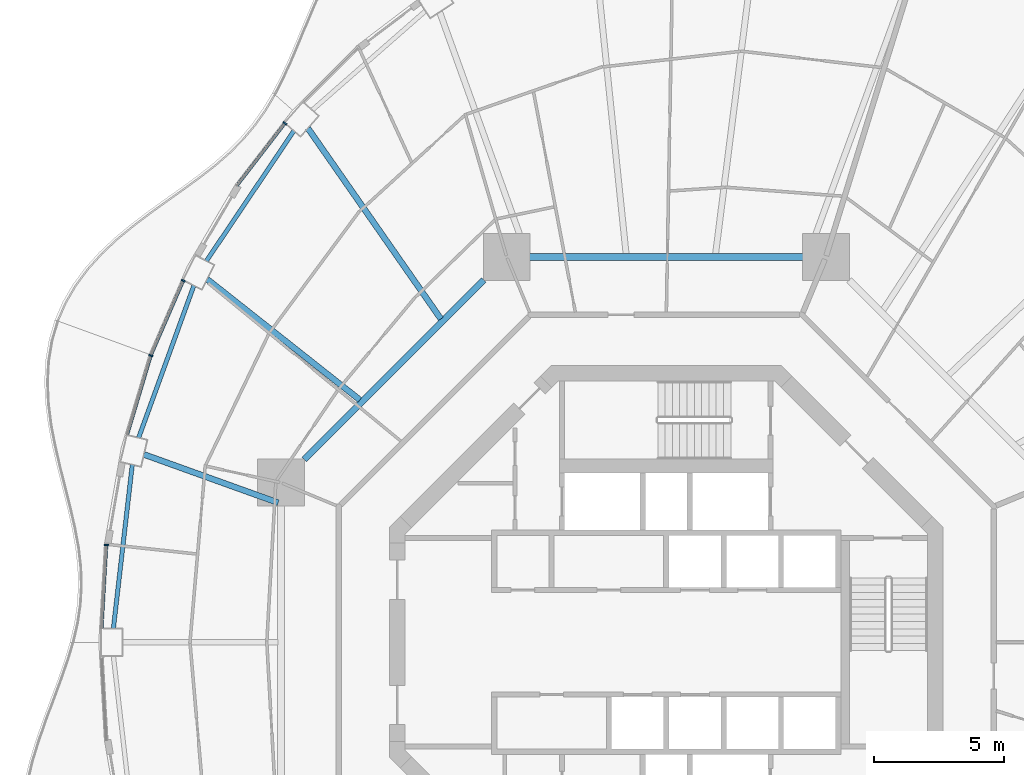
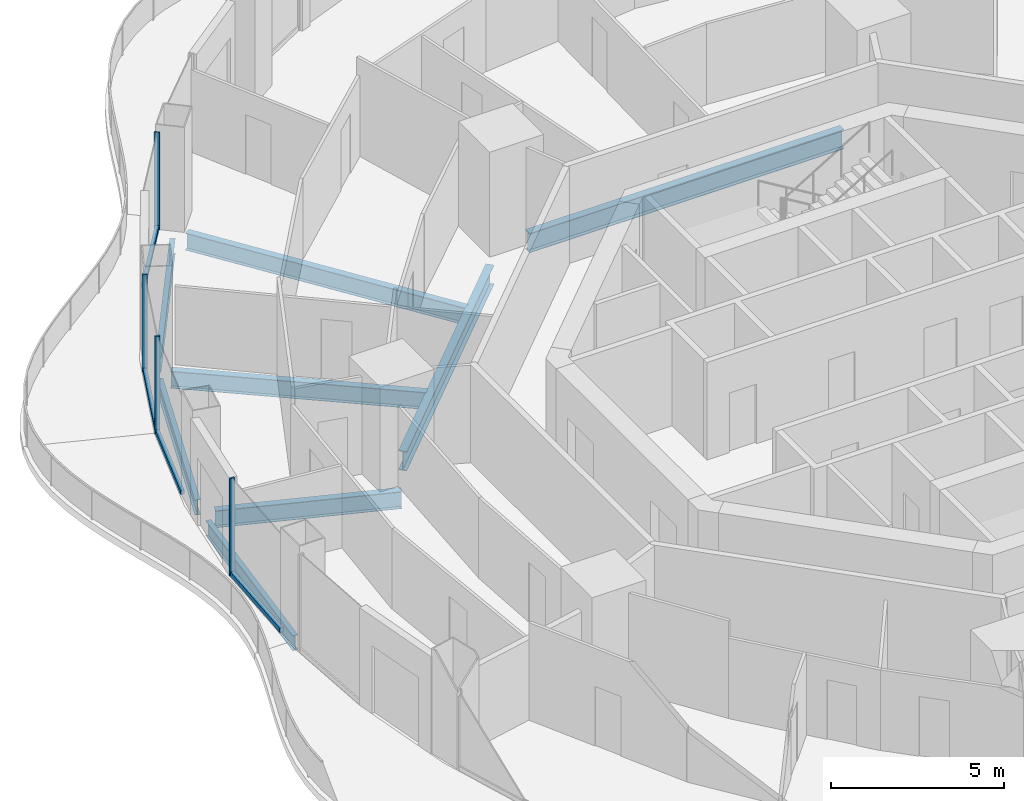
# One storey, part 6 of 19: 8 beams, 8 members, 4 elements without a shape of their own.
"""IFC4 building model written with IfcOpenShell, lengths in metres."""

from ifc_helpers import new_model, si_unit, direction, frame, origin, origin_2d, place, context, subcontext, project, spatial, rectangle, i_section, extrude, material, layer, layer_set, material_profile, profile_set, type_object, element, aggregate, save


model = new_model("IFC4")

# Units and contexts
model_context = context("Model", 3, precision=1e-05, world=origin(), true_north=direction((0.0, 1.0)))
body_context = subcontext(model_context, "Body", "Model", "MODEL_VIEW")
ifc_project = project(units=[si_unit("LENGTHUNIT", "METRE"), si_unit("AREAUNIT", "SQUARE_METRE"), si_unit("VOLUMEUNIT", "CUBIC_METRE"), si_unit("PLANEANGLEUNIT", "RADIAN"), si_unit("MASSUNIT", "GRAM", prefix="KILO")], contexts=[model_context])

# Site, building, storey
site_placement = place(None, origin())
site = spatial("IfcSite", under=ifc_project, at=site_placement, CompositionType="ELEMENT")
building_placement = place(site_placement, origin())
building = spatial("IfcBuilding", under=site, at=building_placement, Name="Nagisa Residences", CompositionType="ELEMENT")
storey_placement = place(building_placement, frame((0.0, 0.0, 180.699951171875)))
storey = spatial("IfcBuildingStorey", under=building, at=storey_placement, Name="L45", CompositionType="ELEMENT", Elevation=180.699951171875)

# Curtain wall, member
ifc_material_1 = material(Name="Concrete-coloured aluminium curtain wall system", Category="concrete")
ifc_layer = layer(ifc_material_1, 0.159912109375)
ifc_layer_set = layer_set([ifc_layer], Name="CW1 CURTAIN WALL")
curtain_wall_type = type_object("IfcCurtainWallType", Name="CW1 CURTAIN WALL", PredefinedType="NOTDEFINED", material=ifc_layer_set)
curtain_wall_1_placement = place(storey_placement, origin())
curtain_wall_1 = element("IfcCurtainWall", 1, at=curtain_wall_1_placement, inside=storey, type_object=curtain_wall_type, Name="cw:CW1:L45:18", PredefinedType="NOTDEFINED")
ifc_material_2 = material(Name="Concrete-coloured aluminium", Category="concrete")
ifc_material_profile_1 = material_profile(ifc_material_2, rectangle(XDim=0.159912109375, YDim=0.06005859375, at=origin_2d()), Name="CW1 MULLION 160x60")
ifc_profile_set_1 = profile_set([ifc_material_profile_1], Name="Concrete-coloured aluminium")
member_type_1 = type_object("IfcMemberType", Name="CW1 MULLION 160x60", PredefinedType="MULLION", material=ifc_profile_set_1)
member_1_placement = place(storey_placement, frame((-14.633544921875, 19.909423828125, 0.0), z_axis=(0.0, 0.0, 1.0), x_axis=(0.792070340816, -0.610429828235, 0.0)))
member_1 = element("IfcMember", 2, at=member_1_placement, type_object=member_type_1, Name="CW1 mullion", PredefinedType="MULLION", context=body_context, shape_type="SweptSolid", body=[
    extrude(rectangle(XDim=0.159912109375, YDim=0.06005859375, at=origin_2d()), origin(), (0.0, 0.0, 1.0), 3.43994140625),
])

curtain_wall_2_placement = place(storey_placement, origin())
curtain_wall_2 = element("IfcCurtainWall", 3, at=curtain_wall_2_placement, inside=storey, type_object=curtain_wall_type, Name="cw:CW1:L45:20", PredefinedType="NOTDEFINED")
member_2_placement = place(storey_placement, frame((-18.53271484375, 13.87353515625, 0.0), z_axis=(0.0, 0.0, 1.0), x_axis=(0.917543276295, -0.397635934147, 0.0)))
member_2 = element("IfcMember", 4, at=member_2_placement, type_object=member_type_1, Name="CW1 mullion", PredefinedType="MULLION", context=body_context, shape_type="SweptSolid", body=[
    extrude(rectangle(XDim=0.159912109375, YDim=0.06005859375, at=origin_2d()), origin(), (0.0, 0.0, 1.0), 3.43994140625),
])

curtain_wall_3_placement = place(storey_placement, origin())
curtain_wall_3 = element("IfcCurtainWall", 5, at=curtain_wall_3_placement, inside=storey, type_object=curtain_wall_type, Name="cw:CW1:L45:21", PredefinedType="NOTDEFINED")
member_3_placement = place(storey_placement, frame((-19.775390625, 10.998291015625, 0.0), z_axis=(0.0, 0.0, 1.0), x_axis=(0.958271310082, -0.285860274038, 0.0)))
member_3 = element("IfcMember", 6, at=member_3_placement, type_object=member_type_1, Name="CW1 mullion", PredefinedType="MULLION", context=body_context, shape_type="SweptSolid", body=[
    extrude(rectangle(XDim=0.159912109375, YDim=0.06005859375, at=origin_2d()), origin(), (0.0, 0.0, 1.0), 3.43994140625),
])

curtain_wall_4_placement = place(storey_placement, origin())
curtain_wall_4 = element("IfcCurtainWall", 7, at=curtain_wall_4_placement, inside=storey, type_object=curtain_wall_type, Name="cw:CW1:L45:23", PredefinedType="NOTDEFINED")
member_4_placement = place(storey_placement, frame((-21.479736328125, 3.734375, 0.0), z_axis=(0.0, 0.0, 1.0), x_axis=(0.998345305184, -0.057503492216, 0.0)))
member_4 = element("IfcMember", 8, at=member_4_placement, type_object=member_type_1, Name="CW1 mullion", PredefinedType="MULLION", context=body_context, shape_type="SweptSolid", body=[
    extrude(rectangle(XDim=0.159912109375, YDim=0.06005859375, at=origin_2d()), origin(), (0.0, 0.0, 1.0), 3.43994140625),
])

# Member
ifc_material_3 = material(Name="Concrete-coloured aluminium", Category="concrete")
ifc_material_profile_2 = material_profile(ifc_material_3, rectangle(XDim=0.1201171875, YDim=0.14990234375, at=origin_2d()), Name="CW1 TRANSOM 120x150")
ifc_profile_set_2 = profile_set([ifc_material_profile_2], Name="Concrete-coloured aluminium")
member_type_2 = type_object("IfcMemberType", Name="CW1 TRANSOM 120x150", PredefinedType="USERDEFINED", material=ifc_profile_set_2)
member_5_placement = place(storey_placement, frame((-14.615234375, 19.933349609375, 0.074951171875), z_axis=(-0.610398538814, -0.792094453846, 0.0), x_axis=(0.792094453846, -0.610398538814, 0.0)))
member_5 = element("IfcMember", 9, at=member_5_placement, type_object=member_type_2, Name="CW1 transom", ObjectType="TRANSOM", PredefinedType="USERDEFINED", context=body_context, shape_type="SweptSolid", body=[
    extrude(rectangle(XDim=0.1201171875, YDim=0.14990234375, at=origin_2d()), origin(), (0.0, 0.0, 1.0), 3.035400390625),
])

aggregate(curtain_wall_1, [member_1, member_5])

member_6_placement = place(storey_placement, frame((-18.520751953125, 13.901123046875, 0.074951171875), z_axis=(-0.397592173732, -0.917562239517, 0.0), x_axis=(0.917562239517, -0.397592173732, 0.0)))
member_6 = element("IfcMember", 10, at=member_6_placement, type_object=member_type_2, Name="CW1 transom", ObjectType="TRANSOM", PredefinedType="USERDEFINED", context=body_context, shape_type="SweptSolid", body=[
    extrude(rectangle(XDim=0.1201171875, YDim=0.14990234375, at=origin_2d()), origin(), (0.0, 0.0, 1.0), 3.14208984375),
])

aggregate(curtain_wall_2, [member_2, member_6])

member_7_placement = place(storey_placement, frame((-19.766845703125, 11.027099609375, 0.074951171875), z_axis=(-0.28584838049, -0.958274857946, 0.0), x_axis=(0.958274857946, -0.28584838049, 0.0)))
member_7 = element("IfcMember", 11, at=member_7_placement, type_object=member_type_2, Name="CW1 transom", ObjectType="TRANSOM", PredefinedType="USERDEFINED", context=body_context, shape_type="SweptSolid", body=[
    extrude(rectangle(XDim=0.1201171875, YDim=0.14990234375, at=origin_2d()), origin(), (0.0, 0.0, 1.0), 3.182373046875),
])

aggregate(curtain_wall_3, [member_3, member_7])

member_8_placement = place(storey_placement, frame((-21.47802734375, 3.764404296875, 0.074951171875), z_axis=(-0.057528345118, -0.998343873376, 0.0), x_axis=(0.998343873376, -0.057528345118, 0.0)))
member_8 = element("IfcMember", 12, at=member_8_placement, type_object=member_type_2, Name="CW1 transom", ObjectType="TRANSOM", PredefinedType="USERDEFINED", context=body_context, shape_type="SweptSolid", body=[
    extrude(rectangle(XDim=0.1201171875, YDim=0.14990234375, at=origin_2d()), origin(), (0.0, 0.0, 1.0), 3.225341796875),
])

aggregate(curtain_wall_4, [member_4, member_8])

# Beams
ifc_material_4 = material(Name="Steel ASTM A572 Gr 50", Category="steel")
ifc_material_profile_3 = material_profile(ifc_material_4, i_section(OverallWidth=0.25390625, OverallDepth=0.68408203125, WebThickness=0.012451171875, FlangeThickness=0.018798828125, at=origin_2d()), Name="W690x140")
ifc_profile_set_3 = profile_set([ifc_material_profile_3], Name="Steel ASTM A572 Gr 50")
beam_type_1 = type_object("IfcBeamType", Name="Inner ring beam W690x140", PredefinedType="BEAM", material=ifc_profile_set_3)
beam_1_placement = place(storey_placement, frame((5.242919921875, 14.781982421875, -0.60205078125), z_axis=(-1.0, 0.0, 0.0), x_axis=(0.0, -1.0, 0.0)))
element("IfcBeam", 13, at=beam_1_placement, inside=storey, type_object=beam_type_1, Name="beam:L45:ib2", PredefinedType="BEAM", context=body_context, shape_type="SweptSolid", body=[
    extrude(i_section(OverallWidth=0.25390625, OverallDepth=0.68408203125, WebThickness=0.012451171875, FlangeThickness=0.018798828125, at=origin_2d()), origin(), (0.0, 0.0, 1.0), 10.48583984375),
])
beam_2_placement = place(storey_placement, frame((-7.0087890625, 13.896240234375, -0.60205078125), z_axis=(-0.707106781187, -0.707106781187, 0.0), x_axis=(0.707106781187, -0.707106781187, 0.0)))
element("IfcBeam", 14, at=beam_2_placement, inside=storey, type_object=beam_type_1, Name="beam:L45:ib3", PredefinedType="BEAM", context=body_context, shape_type="SweptSolid", body=[
    extrude(i_section(OverallWidth=0.25390625, OverallDepth=0.68408203125, WebThickness=0.012451171875, FlangeThickness=0.018798828125, at=origin_2d()), origin(), (0.0, 0.0, 1.0), 9.740234375),
])
ifc_material_5 = material(Name="Steel ASTM A572 Gr 50", Category="steel")
ifc_material_profile_4 = material_profile(ifc_material_5, i_section(OverallWidth=0.166015625, OverallDepth=0.534912109375, WebThickness=0.01025390625, FlangeThickness=0.0166015625, at=origin_2d()), Name="W530x85")
ifc_profile_set_4 = profile_set([ifc_material_profile_4], Name="Steel ASTM A572 Gr 50")
beam_type_2 = type_object("IfcBeamType", Name="Perimeter ring beam W530x85", PredefinedType="BEAM", material=ifc_profile_set_4)
beam_3_placement = place(storey_placement, frame((-14.28759765625, 19.62060546875, -0.52734375), z_axis=(-0.558152301307, -0.829738518177, 0.0), x_axis=(0.829738518177, -0.558152301307, 0.0)))
element("IfcBeam", 15, at=beam_3_placement, inside=storey, type_object=beam_type_2, Name="beam:L45:pb10", PredefinedType="BEAM", context=body_context, shape_type="SweptSolid", body=[
    extrude(i_section(OverallWidth=0.166015625, OverallDepth=0.534912109375, WebThickness=0.01025390625, FlangeThickness=0.0166015625, at=origin_2d()), origin(), (0.0, 0.0, 1.0), 6.013916015625),
])
beam_4_placement = place(storey_placement, frame((-18.124755859375, 13.685546875, -0.52734375), z_axis=(-0.341285525681, -0.939959674646, 0.0), x_axis=(0.939959674646, -0.341285525681, 0.0)))
element("IfcBeam", 16, at=beam_4_placement, inside=storey, type_object=beam_type_2, Name="beam:L45:pb11", PredefinedType="BEAM", context=body_context, shape_type="SweptSolid", body=[
    extrude(i_section(OverallWidth=0.166015625, OverallDepth=0.534912109375, WebThickness=0.01025390625, FlangeThickness=0.0166015625, at=origin_2d()), origin(), (0.0, 0.0, 1.0), 6.212890625),
])
beam_5_placement = place(storey_placement, frame((-20.488525390625, 6.813720703125, -0.52734375), z_axis=(-0.114670987431, -0.993403525583, 0.0), x_axis=(0.993403525583, -0.114670987431, 0.0)))
element("IfcBeam", 17, at=beam_5_placement, inside=storey, type_object=beam_type_2, Name="beam:L45:pb12", PredefinedType="BEAM", context=body_context, shape_type="SweptSolid", body=[
    extrude(i_section(OverallWidth=0.166015625, OverallDepth=0.534912109375, WebThickness=0.01025390625, FlangeThickness=0.0166015625, at=origin_2d()), origin(), (0.0, 0.0, 1.0), 6.325439453125),
])
ifc_material_6 = material(Name="Steel ASTM A572 Gr 50", Category="steel")
ifc_material_profile_5 = material_profile(ifc_material_6, i_section(OverallWidth=0.22802734375, OverallDepth=0.60302734375, WebThickness=0.010498046875, FlangeThickness=0.014892578125, at=origin_2d()), Name="W610x101")
ifc_profile_set_5 = profile_set([ifc_material_profile_5], Name="Steel ASTM A572 Gr 50")
beam_type_3 = type_object("IfcBeamType", Name="Radial beam W610x101", PredefinedType="BEAM", material=ifc_profile_set_5)
beam_6_placement = place(storey_placement, frame((-13.75048828125, 19.7216796875, -0.5615234375), z_axis=(0.571934479253, -0.82029930601, 0.0), x_axis=(0.82029930601, 0.571934479253, 0.0)))
element("IfcBeam", 18, at=beam_6_placement, inside=storey, type_object=beam_type_3, Name="beam:L45:rb10", PredefinedType="BEAM", context=body_context, shape_type="SweptSolid", body=[
    extrude(i_section(OverallWidth=0.22802734375, OverallDepth=0.60302734375, WebThickness=0.010498046875, FlangeThickness=0.014892578125, at=origin_2d()), origin(), (0.0, 0.0, 1.0), 8.917724609375),
])
beam_7_placement = place(storey_placement, frame((-17.617919921875, 13.930908203125, -0.5615234375), z_axis=(0.784411523752, -0.620240728593, 0.0), x_axis=(0.620240728593, 0.784411523752, 0.0)))
element("IfcBeam", 19, at=beam_7_placement, inside=storey, type_object=beam_type_3, Name="beam:L45:rb11", PredefinedType="BEAM", context=body_context, shape_type="SweptSolid", body=[
    extrude(i_section(OverallWidth=0.22802734375, OverallDepth=0.60302734375, WebThickness=0.010498046875, FlangeThickness=0.014892578125, at=origin_2d()), origin(), (0.0, 0.0, 1.0), 7.4697265625),
])
beam_8_placement = place(storey_placement, frame((-20.043701171875, 7.2060546875, -0.5615234375), z_axis=(0.941032808963, -0.338315315137, 0.0), x_axis=(0.338315315137, 0.941032808963, 0.0)))
element("IfcBeam", 20, at=beam_8_placement, inside=storey, type_object=beam_type_3, Name="beam:L45:rb12", PredefinedType="BEAM", context=body_context, shape_type="SweptSolid", body=[
    extrude(i_section(OverallWidth=0.22802734375, OverallDepth=0.60302734375, WebThickness=0.010498046875, FlangeThickness=0.014892578125, at=origin_2d()), origin(), (0.0, 0.0, 1.0), 5.4765625),
])

save(model, "model.ifc")
